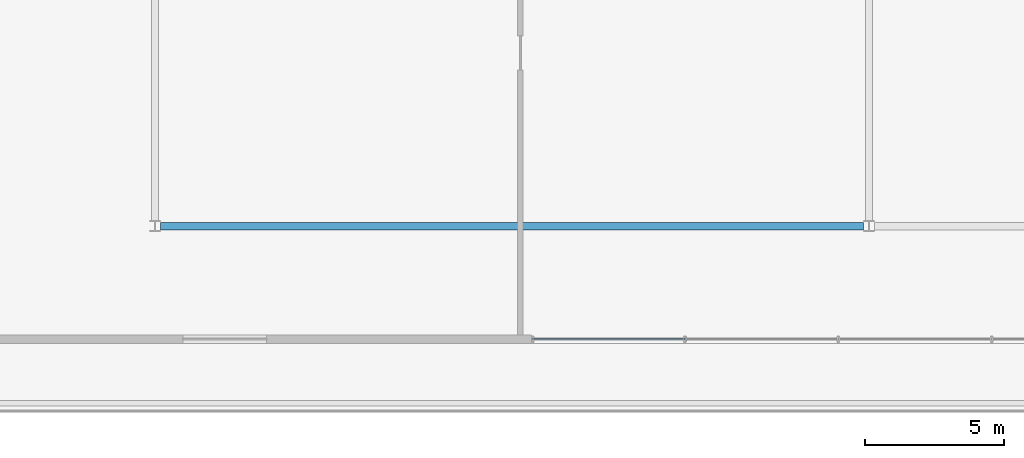
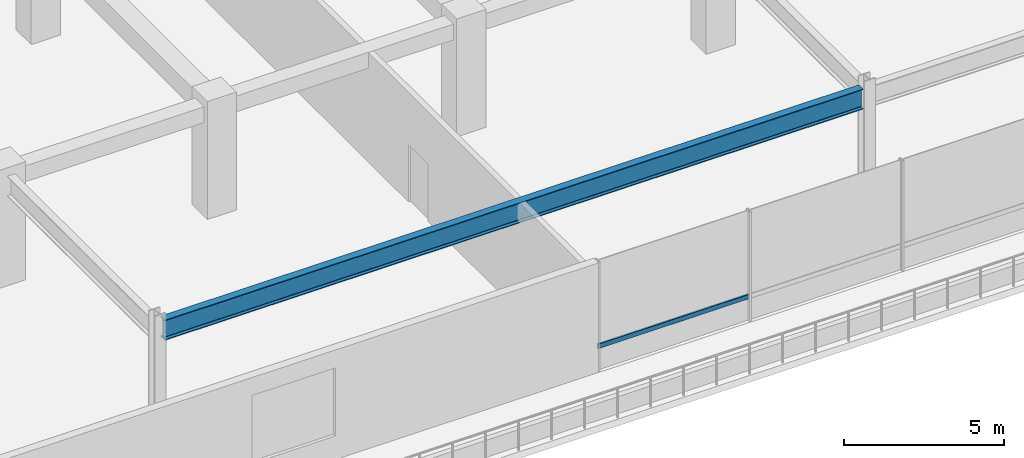
# One storey, part 9 of 40: 1 beam, 1 member, 1 element without a shape of its own.
"""IFC4 building model written with IfcOpenShell, lengths in metres."""

from ifc_helpers import new_model, si_unit, direction, frame, origin, origin_2d, place, context, subcontext, project, spatial, hollow_rectangle, i_section, extrude, material, layer, layer_set, material_profile, profile_set, type_object, element, aggregate, save


model = new_model("IFC4")

# Units and contexts
model_context = context("Model", 3, precision=1e-05, world=origin(), true_north=direction((0.0, 1.0)))
body_context = subcontext(model_context, "Body", "Model", "MODEL_VIEW")
ifc_project = project(units=[si_unit("LENGTHUNIT", "METRE"), si_unit("AREAUNIT", "SQUARE_METRE"), si_unit("VOLUMEUNIT", "CUBIC_METRE"), si_unit("PLANEANGLEUNIT", "RADIAN"), si_unit("MASSUNIT", "GRAM", prefix="KILO")], contexts=[model_context])

# Site, building, storey
site_placement = place(None, origin())
site = spatial("IfcSite", under=ifc_project, at=site_placement, CompositionType="ELEMENT")
building_placement = place(site_placement, origin())
building = spatial("IfcBuilding", under=site, at=building_placement, Name="Korimba Cascade Residences", CompositionType="ELEMENT")
storey_placement = place(building_placement, frame((0.0, 0.0, 14.5)))
storey = spatial("IfcBuildingStorey", under=building, at=storey_placement, Name="L03", CompositionType="ELEMENT", Elevation=14.5)

# Beam
ifc_material_1 = material(Name="Steel S355", Category="steel")
ifc_material_profile_1 = material_profile(ifc_material_1, i_section(OverallWidth=0.26806640625, OverallDepth=0.769775390625, WebThickness=0.015625, FlangeThickness=0.025390625, FilletRadius=0.0166015625, at=origin_2d()), Name="Steel S355")
ifc_profile_set_1 = profile_set([ifc_material_profile_1], Name="Steel S355")
beam_type = type_object("IfcBeamType", Name="BM-STL-UB762", PredefinedType="BEAM", material=ifc_profile_set_1)
beam_placement = place(storey_placement, frame((74.699462890625, -13.800048828125, 3.795166015625), z_axis=(1.0, 0.0, 0.0), x_axis=(0.0, 1.0, 0.0)))
element("IfcBeam", 1, at=beam_placement, inside=storey, type_object=beam_type, Name="L03 Podium Frame Girder SH1", PredefinedType="BEAM", context=body_context, shape_type="SweptSolid", body=[
    extrude(i_section(OverallWidth=0.26806640625, OverallDepth=0.769775390625, WebThickness=0.015625, FlangeThickness=0.025390625, FilletRadius=0.0166015625, at=origin_2d()), origin(), (0.0, 0.0, 1.0), 25.200927734375),
])

# Curtain wall, member
ifc_material_2 = material(Name="Anodised Aluminium Curtain Wall Framing", Category="aluminium")
ifc_layer = layer(ifc_material_2, 0.179931640625)
ifc_layer_set = layer_set([ifc_layer], Name="Anodised Aluminium Curtain Wall Framing")
curtain_wall_type = type_object("IfcCurtainWallType", Name="CW-POD-SYS1", PredefinedType="NOTDEFINED", material=ifc_layer_set)
curtain_wall_placement = place(storey_placement, origin())
curtain_wall = element("IfcCurtainWall", 2, at=curtain_wall_placement, inside=storey, type_object=curtain_wall_type, Name="L03 Curtain Wall CW-L03-POD-S", PredefinedType="NOTDEFINED")
ifc_material_3 = material(Name="Anodised Aluminium Transom", Category="aluminium")
ifc_material_profile_2 = material_profile(ifc_material_3, hollow_rectangle(XDim=0.070068359375, YDim=0.179931640625, WallThickness=0.0048828125, InnerFilletRadius=0.0048828125, OuterFilletRadius=0.010009765625, at=origin_2d()), Name="Anodised Aluminium Transom")
ifc_profile_set_2 = profile_set([ifc_material_profile_2], Name="Anodised Aluminium Transom")
member_type = type_object("IfcMemberType", Name="CWM-TRN-150", PredefinedType="USERDEFINED", material=ifc_profile_set_2)
member_placement = place(storey_placement, frame((88.0400390625, -17.85009765625, 0.89990234375), z_axis=(1.0, 0.0, 0.0), x_axis=(0.0, 1.0, 0.0)))
member = element("IfcMember", 3, at=member_placement, type_object=member_type, Name="CW-L03-POD-S Transom 1", ObjectType="TRANSOM", PredefinedType="USERDEFINED", context=body_context, shape_type="SweptSolid", body=[
    extrude(hollow_rectangle(XDim=0.070068359375, YDim=0.179931640625, WallThickness=0.0048828125, InnerFilletRadius=0.0048828125, OuterFilletRadius=0.010009765625, at=origin_2d()), origin(), (0.0, 0.0, 1.0), 5.4599609375),
])
aggregate(curtain_wall, [member])

save(model, "model.ifc")
